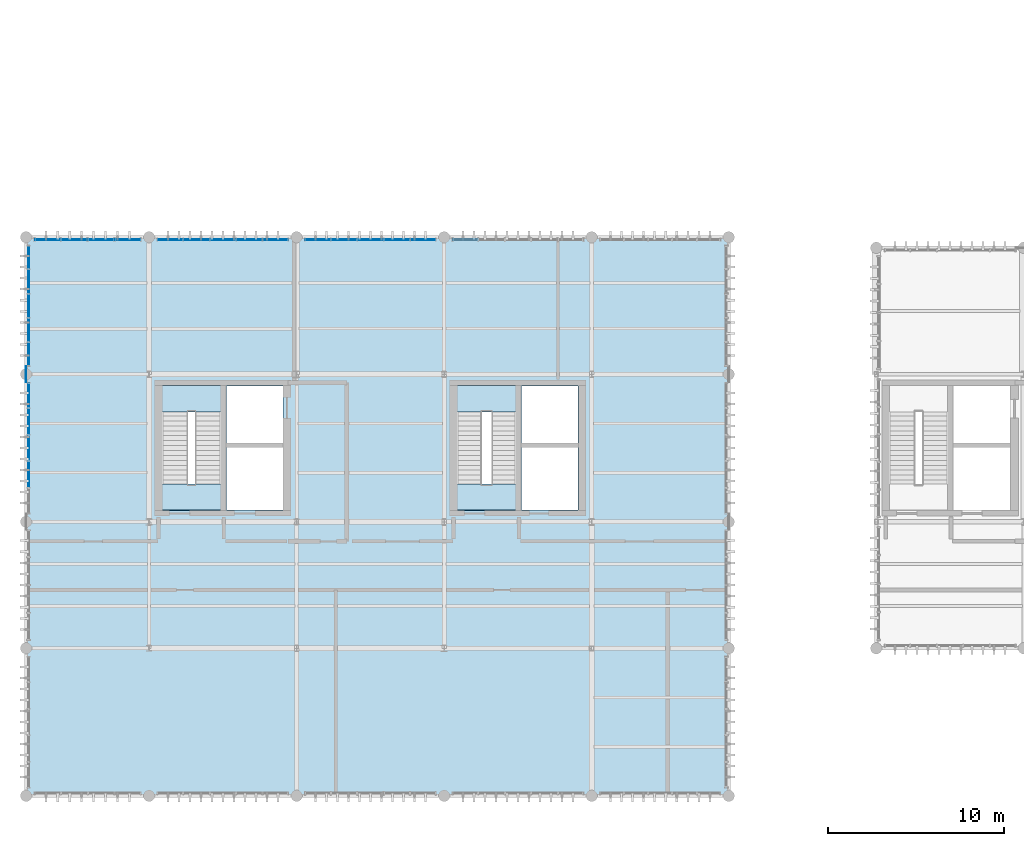
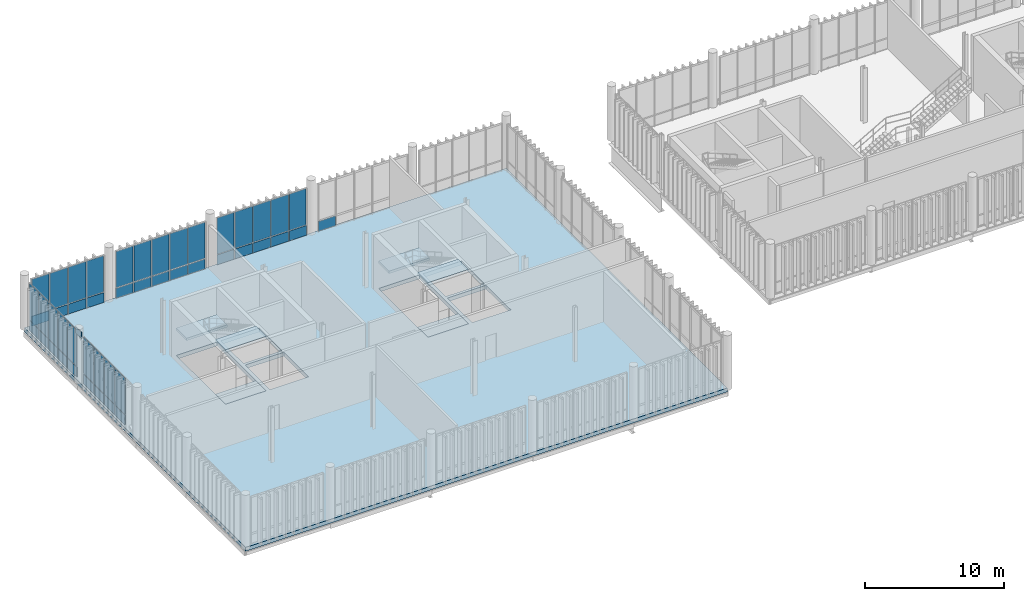
# One storey, part 62 of 86: 48 plates, 7 slabs, 8 elements without a shape of their own.
"""IFC4 building model written with IfcOpenShell, lengths in metres."""

from ifc_helpers import new_model, si_unit, direction, frame, frame_2d, origin_with_axes, origin_2d_with_axis, place, context, subcontext, project, spatial, polyline, rectangle, outline, extrude, material, layer, layer_set, type_object, element, aggregate, save


model = new_model("IFC4")

# Units and contexts
model_context = context("Model", 3, precision=1e-05, world=origin_with_axes(), true_north=direction((0.0, 1.0)))
body_context = subcontext(model_context, "Body", "Model", "MODEL_VIEW")
ifc_project = project(units=[si_unit("LENGTHUNIT", "METRE"), si_unit("AREAUNIT", "SQUARE_METRE"), si_unit("VOLUMEUNIT", "CUBIC_METRE"), si_unit("PLANEANGLEUNIT", "RADIAN"), si_unit("MASSUNIT", "GRAM", prefix="KILO"), si_unit("THERMODYNAMICTEMPERATUREUNIT", "KELVIN")], contexts=[model_context])

# Site, building, storey
site_placement = place(None, origin_with_axes())
site = spatial("IfcSite", under=ifc_project, at=site_placement, CompositionType="ELEMENT")
building_placement = place(site_placement, origin_with_axes())
building = spatial("IfcBuilding", under=site, at=building_placement, Name="Montbau Bow Law Courts", CompositionType="ELEMENT")
storey_placement = place(building_placement, frame((0.0, 0.0, 29.7), z_axis=(0.0, 0.0, 1.0), x_axis=(1.0, 0.0, 0.0)))
storey = spatial("IfcBuildingStorey", under=building, at=storey_placement, Name="L06", CompositionType="ELEMENT", Elevation=29.7)

# Curtain wall, plates
ifc_material_1 = material(Name="Thermally Broken Extruded Aluminium AA 6063-T6", Category="aluminium")
curtain_wall_type = type_object("IfcCurtainWallType", Name="CW-TRC-02", PredefinedType="NOTDEFINED", material=ifc_material_1)
curtain_wall_1_placement = place(None, frame((7.24, 62.26, 29.7), z_axis=(0.0, 0.0, 1.0), x_axis=(1.0, 0.0, 0.0)))
curtain_wall_1 = element("IfcCurtainWall", 1, at=curtain_wall_1_placement, inside=storey, type_object=curtain_wall_type, Name="CW-L06-099:cw_0099", PredefinedType="NOTDEFINED")
ifc_material_2 = material(Name="Triple-Glazed Low-E Argon Insulating Glass Unit", Category="glass")
ifc_layer_1 = layer(ifc_material_2, 0.044, Name="Curtain Panel", Category="glass")
ifc_layer_set_1 = layer_set([ifc_layer_1], Name="Triple-Glazed Low-E Argon Insulating Glass Unit")
plate_type_1 = type_object("IfcPlateType", Name="PL-CWP-01", PredefinedType="CURTAIN_PANEL", material=ifc_layer_set_1)
plate_1_placement = place(None, frame((7.316, 62.26, 30.679), z_axis=(0.0, -1.0, 0.0), x_axis=(1.0, 0.0, 0.0)))
plate_1 = element("IfcPlate", 2, at=plate_1_placement, type_object=plate_type_1, Name="CW-L06-099-P01-2:cw_0099_P01_2", PredefinedType="CURTAIN_PANEL", context=body_context, shape_type="SweptSolid", body=[
    extrude(rectangle(XDim=1.414, YDim=3.183, at=frame_2d((0.707, 1.5915), x_axis=(1.0, 0.0))), frame((0.0, 0.0, -0.022), z_axis=(0.0, 0.0, 1.0), x_axis=(1.0, 0.0, 0.0)), (0.0, 0.0, 1.0), 0.044),
])
plate_2_placement = place(None, frame((8.81, 62.26, 30.679), z_axis=(0.0, -1.0, 0.0), x_axis=(1.0, 0.0, 0.0)))
plate_2 = element("IfcPlate", 3, at=plate_2_placement, type_object=plate_type_1, Name="CW-L06-099-P02-2:cw_0099_P02_2", PredefinedType="CURTAIN_PANEL", context=body_context, shape_type="SweptSolid", body=[
    extrude(rectangle(XDim=1.451, YDim=3.183, at=frame_2d((0.7255, 1.5915), x_axis=(1.0, 0.0))), frame((0.0, 0.0, -0.022), z_axis=(0.0, 0.0, 1.0), x_axis=(1.0, 0.0, 0.0)), (0.0, 0.0, 1.0), 0.044),
])
plate_3_placement = place(None, frame((10.339, 62.26, 30.679), z_axis=(0.0, -1.0, 0.0), x_axis=(1.0, 0.0, 0.0)))
plate_3 = element("IfcPlate", 4, at=plate_3_placement, type_object=plate_type_1, Name="CW-L06-099-P03-2:cw_0099_P03_2", PredefinedType="CURTAIN_PANEL", context=body_context, shape_type="SweptSolid", body=[
    extrude(rectangle(XDim=1.452, YDim=3.183, at=frame_2d((0.726, 1.5915), x_axis=(1.0, 0.0))), frame((0.0, 0.0, -0.022), z_axis=(0.0, 0.0, 1.0), x_axis=(1.0, 0.0, 0.0)), (0.0, 0.0, 1.0), 0.044),
])
plate_4_placement = place(None, frame((11.869, 62.26, 30.679), z_axis=(0.0, -1.0, 0.0), x_axis=(1.0, 0.0, 0.0)))
plate_4 = element("IfcPlate", 5, at=plate_4_placement, type_object=plate_type_1, Name="CW-L06-099-P04-2:cw_0099_P04_2", PredefinedType="CURTAIN_PANEL", context=body_context, shape_type="SweptSolid", body=[
    extrude(rectangle(XDim=1.414, YDim=3.183, at=frame_2d((0.707, 1.5915), x_axis=(1.0, 0.0))), frame((0.0, 0.0, -0.022), z_axis=(0.0, 0.0, 1.0), x_axis=(1.0, 0.0, 0.0)), (0.0, 0.0, 1.0), 0.044),
])

curtain_wall_2_placement = place(None, frame((14.24, 62.26, 29.7), z_axis=(0.0, 0.0, 1.0), x_axis=(1.0, 0.0, 0.0)))
curtain_wall_2 = element("IfcCurtainWall", 6, at=curtain_wall_2_placement, inside=storey, type_object=curtain_wall_type, Name="CW-L06-100:cw_0100", PredefinedType="NOTDEFINED")
plate_5_placement = place(None, frame((14.308, 62.26, 30.682), z_axis=(0.0, -1.0, 0.0), x_axis=(1.0, 0.0, 0.0)))
plate_5 = element("IfcPlate", 7, at=plate_5_placement, type_object=plate_type_1, Name="CW-L06-100-P01-2:cw_0100_P01_2", PredefinedType="CURTAIN_PANEL", context=body_context, shape_type="SweptSolid", body=[
    extrude(rectangle(XDim=1.402, YDim=3.176, at=frame_2d((0.701, 1.588), x_axis=(1.0, 0.0))), frame((0.0, 0.0, -0.022), z_axis=(0.0, 0.0, 1.0), x_axis=(1.0, 0.0, 0.0)), (0.0, 0.0, 1.0), 0.044),
])
plate_6_placement = place(None, frame((15.778, 62.26, 30.682), z_axis=(0.0, -1.0, 0.0), x_axis=(1.0, 0.0, 0.0)))
plate_6 = element("IfcPlate", 8, at=plate_6_placement, type_object=plate_type_1, Name="CW-L06-100-P02-2:cw_0100_P02_2", PredefinedType="CURTAIN_PANEL", context=body_context, shape_type="SweptSolid", body=[
    extrude(rectangle(XDim=1.436, YDim=3.176, at=frame_2d((0.718, 1.588), x_axis=(1.0, 0.0))), frame((0.0, 0.0, -0.022), z_axis=(0.0, 0.0, 1.0), x_axis=(1.0, 0.0, 0.0)), (0.0, 0.0, 1.0), 0.044),
])
plate_7_placement = place(None, frame((17.282, 62.26, 30.682), z_axis=(0.0, -1.0, 0.0), x_axis=(1.0, 0.0, 0.0)))
plate_7 = element("IfcPlate", 9, at=plate_7_placement, type_object=plate_type_1, Name="CW-L06-100-P03-2:cw_0100_P03_2", PredefinedType="CURTAIN_PANEL", context=body_context, shape_type="SweptSolid", body=[
    extrude(rectangle(XDim=1.436, YDim=3.176, at=frame_2d((0.718, 1.588), x_axis=(1.0, 0.0))), frame((0.0, 0.0, -0.022), z_axis=(0.0, 0.0, 1.0), x_axis=(1.0, 0.0, 0.0)), (0.0, 0.0, 1.0), 0.044),
])
plate_8_placement = place(None, frame((18.786, 62.26, 30.682), z_axis=(0.0, -1.0, 0.0), x_axis=(1.0, 0.0, 0.0)))
plate_8 = element("IfcPlate", 10, at=plate_8_placement, type_object=plate_type_1, Name="CW-L06-100-P04-2:cw_0100_P04_2", PredefinedType="CURTAIN_PANEL", context=body_context, shape_type="SweptSolid", body=[
    extrude(rectangle(XDim=1.436, YDim=3.176, at=frame_2d((0.718, 1.588), x_axis=(1.0, 0.0))), frame((0.0, 0.0, -0.022), z_axis=(0.0, 0.0, 1.0), x_axis=(1.0, 0.0, 0.0)), (0.0, 0.0, 1.0), 0.044),
])
plate_9_placement = place(None, frame((20.29, 62.26, 30.682), z_axis=(0.0, -1.0, 0.0), x_axis=(1.0, 0.0, 0.0)))
plate_9 = element("IfcPlate", 11, at=plate_9_placement, type_object=plate_type_1, Name="CW-L06-100-P05-2:cw_0100_P05_2", PredefinedType="CURTAIN_PANEL", context=body_context, shape_type="SweptSolid", body=[
    extrude(rectangle(XDim=1.404, YDim=3.176, at=frame_2d((0.702, 1.588), x_axis=(1.0, 0.0))), frame((0.0, 0.0, -0.022), z_axis=(0.0, 0.0, 1.0), x_axis=(1.0, 0.0, 0.0)), (0.0, 0.0, 1.0), 0.044),
])

curtain_wall_3_placement = place(None, frame((22.64, 62.26, 29.7), z_axis=(0.0, 0.0, 1.0), x_axis=(1.0, 0.0, 0.0)))
curtain_wall_3 = element("IfcCurtainWall", 12, at=curtain_wall_3_placement, inside=storey, type_object=curtain_wall_type, Name="CW-L06-101:cw_0101", PredefinedType="NOTDEFINED")
plate_10_placement = place(None, frame((22.702, 62.26, 30.679), z_axis=(0.0, -1.0, 0.0), x_axis=(1.0, 0.0, 0.0)))
plate_10 = element("IfcPlate", 13, at=plate_10_placement, type_object=plate_type_1, Name="CW-L06-101-P01-2:cw_0101_P01_2", PredefinedType="CURTAIN_PANEL", context=body_context, shape_type="SweptSolid", body=[
    extrude(rectangle(XDim=1.41, YDim=3.183, at=frame_2d((0.705, 1.5915), x_axis=(1.0, 0.0))), frame((0.0, 0.0, -0.022), z_axis=(0.0, 0.0, 1.0), x_axis=(1.0, 0.0, 0.0)), (0.0, 0.0, 1.0), 0.044),
])
plate_11_placement = place(None, frame((24.176, 62.26, 30.679), z_axis=(0.0, -1.0, 0.0), x_axis=(1.0, 0.0, 0.0)))
plate_11 = element("IfcPlate", 14, at=plate_11_placement, type_object=plate_type_1, Name="CW-L06-101-P02-2:cw_0101_P02_2", PredefinedType="CURTAIN_PANEL", context=body_context, shape_type="SweptSolid", body=[
    extrude(rectangle(XDim=1.44, YDim=3.183, at=frame_2d((0.72, 1.5915), x_axis=(1.0, 0.0))), frame((0.0, 0.0, -0.022), z_axis=(0.0, 0.0, 1.0), x_axis=(1.0, 0.0, 0.0)), (0.0, 0.0, 1.0), 0.044),
])
plate_12_placement = place(None, frame((25.68, 62.26, 30.679), z_axis=(0.0, -1.0, 0.0), x_axis=(1.0, 0.0, 0.0)))
plate_12 = element("IfcPlate", 15, at=plate_12_placement, type_object=plate_type_1, Name="CW-L06-101-P03-2:cw_0101_P03_2", PredefinedType="CURTAIN_PANEL", context=body_context, shape_type="SweptSolid", body=[
    extrude(rectangle(XDim=1.44, YDim=3.183, at=frame_2d((0.72, 1.5915), x_axis=(1.0, 0.0))), frame((0.0, 0.0, -0.022), z_axis=(0.0, 0.0, 1.0), x_axis=(1.0, 0.0, 0.0)), (0.0, 0.0, 1.0), 0.044),
])
plate_13_placement = place(None, frame((27.184, 62.26, 30.679), z_axis=(0.0, -1.0, 0.0), x_axis=(1.0, 0.0, 0.0)))
plate_13 = element("IfcPlate", 16, at=plate_13_placement, type_object=plate_type_1, Name="CW-L06-101-P04-2:cw_0101_P04_2", PredefinedType="CURTAIN_PANEL", context=body_context, shape_type="SweptSolid", body=[
    extrude(rectangle(XDim=1.44, YDim=3.183, at=frame_2d((0.72, 1.5915), x_axis=(1.0, 0.0))), frame((0.0, 0.0, -0.022), z_axis=(0.0, 0.0, 1.0), x_axis=(1.0, 0.0, 0.0)), (0.0, 0.0, 1.0), 0.044),
])
plate_14_placement = place(None, frame((28.688, 62.26, 30.679), z_axis=(0.0, -1.0, 0.0), x_axis=(1.0, 0.0, 0.0)))
plate_14 = element("IfcPlate", 17, at=plate_14_placement, type_object=plate_type_1, Name="CW-L06-101-P05-2:cw_0101_P05_2", PredefinedType="CURTAIN_PANEL", context=body_context, shape_type="SweptSolid", body=[
    extrude(rectangle(XDim=1.41, YDim=3.183, at=frame_2d((0.705, 1.5915), x_axis=(1.0, 0.0))), frame((0.0, 0.0, -0.022), z_axis=(0.0, 0.0, 1.0), x_axis=(1.0, 0.0, 0.0)), (0.0, 0.0, 1.0), 0.044),
])

curtain_wall_4_placement = place(None, frame((6.94, 46.64, 29.7), z_axis=(0.0, 0.0, 1.0), x_axis=(1.0, 0.0, 0.0)))
curtain_wall_4 = element("IfcCurtainWall", 18, at=curtain_wall_4_placement, inside=storey, type_object=curtain_wall_type, Name="CW-L06-106:cw_0106", PredefinedType="NOTDEFINED")
plate_15_placement = place(None, frame((6.94, 48.178, 30.682), z_axis=(1.0, 0.0, 0.0), x_axis=(0.0, 1.0, 0.0)))
plate_15 = element("IfcPlate", 19, at=plate_15_placement, type_object=plate_type_1, Name="CW-L06-106-P02-2:cw_0106_P02_2", PredefinedType="CURTAIN_PANEL", context=body_context, shape_type="SweptSolid", body=[
    extrude(rectangle(XDim=1.436, YDim=3.176, at=frame_2d((0.718, 1.588), x_axis=(1.0, 0.0))), frame((0.0, 0.0, -0.022), z_axis=(0.0, 0.0, 1.0), x_axis=(1.0, 0.0, 0.0)), (0.0, 0.0, 1.0), 0.044),
])
plate_16_placement = place(None, frame((6.94, 49.682, 30.682), z_axis=(1.0, 0.0, 0.0), x_axis=(0.0, 1.0, 0.0)))
plate_16 = element("IfcPlate", 20, at=plate_16_placement, type_object=plate_type_1, Name="CW-L06-106-P03-2:cw_0106_P03_2", PredefinedType="CURTAIN_PANEL", context=body_context, shape_type="SweptSolid", body=[
    extrude(rectangle(XDim=1.436, YDim=3.176, at=frame_2d((0.718, 1.588), x_axis=(1.0, 0.0))), frame((0.0, 0.0, -0.022), z_axis=(0.0, 0.0, 1.0), x_axis=(1.0, 0.0, 0.0)), (0.0, 0.0, 1.0), 0.044),
])
plate_17_placement = place(None, frame((6.94, 51.186, 30.682), z_axis=(1.0, 0.0, 0.0), x_axis=(0.0, 1.0, 0.0)))
plate_17 = element("IfcPlate", 21, at=plate_17_placement, type_object=plate_type_1, Name="CW-L06-106-P04-2:cw_0106_P04_2", PredefinedType="CURTAIN_PANEL", context=body_context, shape_type="SweptSolid", body=[
    extrude(rectangle(XDim=1.436, YDim=3.176, at=frame_2d((0.718, 1.588), x_axis=(1.0, 0.0))), frame((0.0, 0.0, -0.022), z_axis=(0.0, 0.0, 1.0), x_axis=(1.0, 0.0, 0.0)), (0.0, 0.0, 1.0), 0.044),
])
plate_18_placement = place(None, frame((6.94, 52.69, 30.682), z_axis=(1.0, 0.0, 0.0), x_axis=(0.0, 1.0, 0.0)))
plate_18 = element("IfcPlate", 22, at=plate_18_placement, type_object=plate_type_1, Name="CW-L06-106-P05-2:cw_0106_P05_2", PredefinedType="CURTAIN_PANEL", context=body_context, shape_type="SweptSolid", body=[
    extrude(rectangle(XDim=1.403, YDim=3.176, at=frame_2d((0.7015, 1.588), x_axis=(1.0, 0.0))), frame((0.0, 0.0, -0.022), z_axis=(0.0, 0.0, 1.0), x_axis=(1.0, 0.0, 0.0)), (0.0, 0.0, 1.0), 0.044),
])

curtain_wall_5_placement = place(None, frame((6.94, 55.04, 29.7), z_axis=(0.0, 0.0, 1.0), x_axis=(1.0, 0.0, 0.0)))
curtain_wall_5 = element("IfcCurtainWall", 23, at=curtain_wall_5_placement, inside=storey, type_object=curtain_wall_type, Name="CW-L06-107:cw_0107", PredefinedType="NOTDEFINED")
plate_19_placement = place(None, frame((6.94, 55.102, 30.679), z_axis=(1.0, 0.0, 0.0), x_axis=(0.0, 1.0, 0.0)))
plate_19 = element("IfcPlate", 24, at=plate_19_placement, type_object=plate_type_1, Name="CW-L06-107-P01-2:cw_0107_P01_2", PredefinedType="CURTAIN_PANEL", context=body_context, shape_type="SweptSolid", body=[
    extrude(rectangle(XDim=1.29, YDim=3.183, at=frame_2d((0.645, 1.5915), x_axis=(1.0, 0.0))), frame((0.0, 0.0, -0.022), z_axis=(0.0, 0.0, 1.0), x_axis=(1.0, 0.0, 0.0)), (0.0, 0.0, 1.0), 0.044),
])
plate_20_placement = place(None, frame((6.94, 56.456, 30.679), z_axis=(1.0, 0.0, 0.0), x_axis=(0.0, 1.0, 0.0)))
plate_20 = element("IfcPlate", 25, at=plate_20_placement, type_object=plate_type_1, Name="CW-L06-107-P02-2:cw_0107_P02_2", PredefinedType="CURTAIN_PANEL", context=body_context, shape_type="SweptSolid", body=[
    extrude(rectangle(XDim=1.32, YDim=3.183, at=frame_2d((0.66, 1.5915), x_axis=(1.0, 0.0))), frame((0.0, 0.0, -0.022), z_axis=(0.0, 0.0, 1.0), x_axis=(1.0, 0.0, 0.0)), (0.0, 0.0, 1.0), 0.044),
])
plate_21_placement = place(None, frame((6.94, 57.84, 30.679), z_axis=(1.0, 0.0, 0.0), x_axis=(0.0, 1.0, 0.0)))
plate_21 = element("IfcPlate", 26, at=plate_21_placement, type_object=plate_type_1, Name="CW-L06-107-P03-2:cw_0107_P03_2", PredefinedType="CURTAIN_PANEL", context=body_context, shape_type="SweptSolid", body=[
    extrude(rectangle(XDim=1.32, YDim=3.183, at=frame_2d((0.66, 1.5915), x_axis=(1.0, 0.0))), frame((0.0, 0.0, -0.022), z_axis=(0.0, 0.0, 1.0), x_axis=(1.0, 0.0, 0.0)), (0.0, 0.0, 1.0), 0.044),
])
plate_22_placement = place(None, frame((6.94, 59.224, 30.679), z_axis=(1.0, 0.0, 0.0), x_axis=(0.0, 1.0, 0.0)))
plate_22 = element("IfcPlate", 27, at=plate_22_placement, type_object=plate_type_1, Name="CW-L06-107-P04-2:cw_0107_P04_2", PredefinedType="CURTAIN_PANEL", context=body_context, shape_type="SweptSolid", body=[
    extrude(rectangle(XDim=1.32, YDim=3.183, at=frame_2d((0.66, 1.5915), x_axis=(1.0, 0.0))), frame((0.0, 0.0, -0.022), z_axis=(0.0, 0.0, 1.0), x_axis=(1.0, 0.0, 0.0)), (0.0, 0.0, 1.0), 0.044),
])
plate_23_placement = place(None, frame((6.94, 60.608, 30.679), z_axis=(1.0, 0.0, 0.0), x_axis=(0.0, 1.0, 0.0)))
plate_23 = element("IfcPlate", 28, at=plate_23_placement, type_object=plate_type_1, Name="CW-L06-107-P05-2:cw_0107_P05_2", PredefinedType="CURTAIN_PANEL", context=body_context, shape_type="SweptSolid", body=[
    extrude(rectangle(XDim=1.29, YDim=3.183, at=frame_2d((0.645, 1.5915), x_axis=(1.0, 0.0))), frame((0.0, 0.0, -0.022), z_axis=(0.0, 0.0, 1.0), x_axis=(1.0, 0.0, 0.0)), (0.0, 0.0, 1.0), 0.044),
])

# Plate
ifc_material_3 = material(Name="Insulated Ceramic-Frit Spandrel Glazing Unit", Category="glass")
ifc_layer_2 = layer(ifc_material_3, 0.056, Name="Curtain Panel", Category="glass")
ifc_layer_set_2 = layer_set([ifc_layer_2], Name="Insulated Ceramic-Frit Spandrel Glazing Unit")
plate_type_2 = type_object("IfcPlateType", Name="PL-CWP-02", PredefinedType="CURTAIN_PANEL", material=ifc_layer_set_2)
plate_24_placement = place(None, frame((7.316, 62.26, 29.756), z_axis=(0.0, -1.0, 0.0), x_axis=(1.0, 0.0, 0.0)))
plate_24 = element("IfcPlate", 29, at=plate_24_placement, type_object=plate_type_2, Name="CW-L06-099-P01-1:cw_0099_P01_1", PredefinedType="CURTAIN_PANEL", context=body_context, shape_type="SweptSolid", body=[
    extrude(rectangle(XDim=1.414, YDim=0.864, at=frame_2d((0.707, 0.432), x_axis=(1.0, 0.0))), frame((0.0, 0.0, -0.028), z_axis=(0.0, 0.0, 1.0), x_axis=(1.0, 0.0, 0.0)), (0.0, 0.0, 1.0), 0.056),
])

plate_25_placement = place(None, frame((8.81, 62.26, 29.756), z_axis=(0.0, -1.0, 0.0), x_axis=(1.0, 0.0, 0.0)))
plate_25 = element("IfcPlate", 30, at=plate_25_placement, type_object=plate_type_2, Name="CW-L06-099-P02-1:cw_0099_P02_1", PredefinedType="CURTAIN_PANEL", context=body_context, shape_type="SweptSolid", body=[
    extrude(rectangle(XDim=1.451, YDim=0.864, at=frame_2d((0.7255, 0.432), x_axis=(1.0, 0.0))), frame((0.0, 0.0, -0.028), z_axis=(0.0, 0.0, 1.0), x_axis=(1.0, 0.0, 0.0)), (0.0, 0.0, 1.0), 0.056),
])

plate_26_placement = place(None, frame((10.339, 62.26, 29.756), z_axis=(0.0, -1.0, 0.0), x_axis=(1.0, 0.0, 0.0)))
plate_26 = element("IfcPlate", 31, at=plate_26_placement, type_object=plate_type_2, Name="CW-L06-099-P03-1:cw_0099_P03_1", PredefinedType="CURTAIN_PANEL", context=body_context, shape_type="SweptSolid", body=[
    extrude(rectangle(XDim=1.452, YDim=0.864, at=frame_2d((0.726, 0.432), x_axis=(1.0, 0.0))), frame((0.0, 0.0, -0.028), z_axis=(0.0, 0.0, 1.0), x_axis=(1.0, 0.0, 0.0)), (0.0, 0.0, 1.0), 0.056),
])

plate_27_placement = place(None, frame((11.869, 62.26, 29.756), z_axis=(0.0, -1.0, 0.0), x_axis=(1.0, 0.0, 0.0)))
plate_27 = element("IfcPlate", 32, at=plate_27_placement, type_object=plate_type_2, Name="CW-L06-099-P04-1:cw_0099_P04_1", PredefinedType="CURTAIN_PANEL", context=body_context, shape_type="SweptSolid", body=[
    extrude(rectangle(XDim=1.414, YDim=0.864, at=frame_2d((0.707, 0.432), x_axis=(1.0, 0.0))), frame((0.0, 0.0, -0.028), z_axis=(0.0, 0.0, 1.0), x_axis=(1.0, 0.0, 0.0)), (0.0, 0.0, 1.0), 0.056),
])

aggregate(curtain_wall_1, [plate_24, plate_1, plate_25, plate_2, plate_26, plate_3, plate_27, plate_4])

plate_28_placement = place(None, frame((14.308, 62.26, 29.762), z_axis=(0.0, -1.0, 0.0), x_axis=(1.0, 0.0, 0.0)))
plate_28 = element("IfcPlate", 33, at=plate_28_placement, type_object=plate_type_2, Name="CW-L06-100-P01-1:cw_0100_P01_1", PredefinedType="CURTAIN_PANEL", context=body_context, shape_type="SweptSolid", body=[
    extrude(rectangle(XDim=1.402, YDim=0.856, at=frame_2d((0.701, 0.428), x_axis=(1.0, 0.0))), frame((0.0, 0.0, -0.028), z_axis=(0.0, 0.0, 1.0), x_axis=(1.0, 0.0, 0.0)), (0.0, 0.0, 1.0), 0.056),
])

plate_29_placement = place(None, frame((15.778, 62.26, 29.762), z_axis=(0.0, -1.0, 0.0), x_axis=(1.0, 0.0, 0.0)))
plate_29 = element("IfcPlate", 34, at=plate_29_placement, type_object=plate_type_2, Name="CW-L06-100-P02-1:cw_0100_P02_1", PredefinedType="CURTAIN_PANEL", context=body_context, shape_type="SweptSolid", body=[
    extrude(rectangle(XDim=1.436, YDim=0.856, at=frame_2d((0.718, 0.428), x_axis=(1.0, 0.0))), frame((0.0, 0.0, -0.028), z_axis=(0.0, 0.0, 1.0), x_axis=(1.0, 0.0, 0.0)), (0.0, 0.0, 1.0), 0.056),
])

plate_30_placement = place(None, frame((17.282, 62.26, 29.762), z_axis=(0.0, -1.0, 0.0), x_axis=(1.0, 0.0, 0.0)))
plate_30 = element("IfcPlate", 35, at=plate_30_placement, type_object=plate_type_2, Name="CW-L06-100-P03-1:cw_0100_P03_1", PredefinedType="CURTAIN_PANEL", context=body_context, shape_type="SweptSolid", body=[
    extrude(rectangle(XDim=1.436, YDim=0.856, at=frame_2d((0.718, 0.428), x_axis=(1.0, 0.0))), frame((0.0, 0.0, -0.028), z_axis=(0.0, 0.0, 1.0), x_axis=(1.0, 0.0, 0.0)), (0.0, 0.0, 1.0), 0.056),
])

plate_31_placement = place(None, frame((18.786, 62.26, 29.762), z_axis=(0.0, -1.0, 0.0), x_axis=(1.0, 0.0, 0.0)))
plate_31 = element("IfcPlate", 36, at=plate_31_placement, type_object=plate_type_2, Name="CW-L06-100-P04-1:cw_0100_P04_1", PredefinedType="CURTAIN_PANEL", context=body_context, shape_type="SweptSolid", body=[
    extrude(rectangle(XDim=1.436, YDim=0.856, at=frame_2d((0.718, 0.428), x_axis=(1.0, 0.0))), frame((0.0, 0.0, -0.028), z_axis=(0.0, 0.0, 1.0), x_axis=(1.0, 0.0, 0.0)), (0.0, 0.0, 1.0), 0.056),
])

plate_32_placement = place(None, frame((20.29, 62.26, 29.762), z_axis=(0.0, -1.0, 0.0), x_axis=(1.0, 0.0, 0.0)))
plate_32 = element("IfcPlate", 37, at=plate_32_placement, type_object=plate_type_2, Name="CW-L06-100-P05-1:cw_0100_P05_1", PredefinedType="CURTAIN_PANEL", context=body_context, shape_type="SweptSolid", body=[
    extrude(rectangle(XDim=1.404, YDim=0.856, at=frame_2d((0.702, 0.428), x_axis=(1.0, 0.0))), frame((0.0, 0.0, -0.028), z_axis=(0.0, 0.0, 1.0), x_axis=(1.0, 0.0, 0.0)), (0.0, 0.0, 1.0), 0.056),
])

aggregate(curtain_wall_2, [plate_28, plate_5, plate_29, plate_6, plate_30, plate_7, plate_31, plate_8, plate_32, plate_9])

plate_33_placement = place(None, frame((22.702, 62.26, 29.756), z_axis=(0.0, -1.0, 0.0), x_axis=(1.0, 0.0, 0.0)))
plate_33 = element("IfcPlate", 38, at=plate_33_placement, type_object=plate_type_2, Name="CW-L06-101-P01-1:cw_0101_P01_1", PredefinedType="CURTAIN_PANEL", context=body_context, shape_type="SweptSolid", body=[
    extrude(rectangle(XDim=1.41, YDim=0.864, at=frame_2d((0.705, 0.432), x_axis=(1.0, 0.0))), frame((0.0, 0.0, -0.028), z_axis=(0.0, 0.0, 1.0), x_axis=(1.0, 0.0, 0.0)), (0.0, 0.0, 1.0), 0.056),
])

plate_34_placement = place(None, frame((24.176, 62.26, 29.756), z_axis=(0.0, -1.0, 0.0), x_axis=(1.0, 0.0, 0.0)))
plate_34 = element("IfcPlate", 39, at=plate_34_placement, type_object=plate_type_2, Name="CW-L06-101-P02-1:cw_0101_P02_1", PredefinedType="CURTAIN_PANEL", context=body_context, shape_type="SweptSolid", body=[
    extrude(rectangle(XDim=1.44, YDim=0.864, at=frame_2d((0.72, 0.432), x_axis=(1.0, 0.0))), frame((0.0, 0.0, -0.028), z_axis=(0.0, 0.0, 1.0), x_axis=(1.0, 0.0, 0.0)), (0.0, 0.0, 1.0), 0.056),
])

plate_35_placement = place(None, frame((25.68, 62.26, 29.756), z_axis=(0.0, -1.0, 0.0), x_axis=(1.0, 0.0, 0.0)))
plate_35 = element("IfcPlate", 40, at=plate_35_placement, type_object=plate_type_2, Name="CW-L06-101-P03-1:cw_0101_P03_1", PredefinedType="CURTAIN_PANEL", context=body_context, shape_type="SweptSolid", body=[
    extrude(rectangle(XDim=1.44, YDim=0.864, at=frame_2d((0.72, 0.432), x_axis=(1.0, 0.0))), frame((0.0, 0.0, -0.028), z_axis=(0.0, 0.0, 1.0), x_axis=(1.0, 0.0, 0.0)), (0.0, 0.0, 1.0), 0.056),
])

plate_36_placement = place(None, frame((27.184, 62.26, 29.756), z_axis=(0.0, -1.0, 0.0), x_axis=(1.0, 0.0, 0.0)))
plate_36 = element("IfcPlate", 41, at=plate_36_placement, type_object=plate_type_2, Name="CW-L06-101-P04-1:cw_0101_P04_1", PredefinedType="CURTAIN_PANEL", context=body_context, shape_type="SweptSolid", body=[
    extrude(rectangle(XDim=1.44, YDim=0.864, at=frame_2d((0.72, 0.432), x_axis=(1.0, 0.0))), frame((0.0, 0.0, -0.028), z_axis=(0.0, 0.0, 1.0), x_axis=(1.0, 0.0, 0.0)), (0.0, 0.0, 1.0), 0.056),
])

plate_37_placement = place(None, frame((28.688, 62.26, 29.756), z_axis=(0.0, -1.0, 0.0), x_axis=(1.0, 0.0, 0.0)))
plate_37 = element("IfcPlate", 42, at=plate_37_placement, type_object=plate_type_2, Name="CW-L06-101-P05-1:cw_0101_P05_1", PredefinedType="CURTAIN_PANEL", context=body_context, shape_type="SweptSolid", body=[
    extrude(rectangle(XDim=1.41, YDim=0.864, at=frame_2d((0.705, 0.432), x_axis=(1.0, 0.0))), frame((0.0, 0.0, -0.028), z_axis=(0.0, 0.0, 1.0), x_axis=(1.0, 0.0, 0.0)), (0.0, 0.0, 1.0), 0.056),
])

aggregate(curtain_wall_3, [plate_33, plate_10, plate_34, plate_11, plate_35, plate_12, plate_36, plate_13, plate_37, plate_14])

# Curtain wall, plate
curtain_wall_6_placement = place(None, frame((31.04, 62.26, 29.7), z_axis=(0.0, 0.0, 1.0), x_axis=(1.0, 0.0, 0.0)))
curtain_wall_6 = element("IfcCurtainWall", 43, at=curtain_wall_6_placement, inside=storey, type_object=curtain_wall_type, Name="CW-L06-102:cw_0102", PredefinedType="NOTDEFINED")
plate_38_placement = place(None, frame((31.116, 62.26, 29.762), z_axis=(0.0, -1.0, 0.0), x_axis=(1.0, 0.0, 0.0)))
plate_38 = element("IfcPlate", 44, at=plate_38_placement, type_object=plate_type_2, Name="CW-L06-102-P01-1:cw_0102_P01_1", PredefinedType="CURTAIN_PANEL", context=body_context, shape_type="SweptSolid", body=[
    extrude(rectangle(XDim=1.388, YDim=0.856, at=frame_2d((0.694, 0.428), x_axis=(1.0, 0.0))), frame((0.0, 0.0, -0.028), z_axis=(0.0, 0.0, 1.0), x_axis=(1.0, 0.0, 0.0)), (0.0, 0.0, 1.0), 0.056),
])
aggregate(curtain_wall_6, [plate_38])

# Plate
plate_39_placement = place(None, frame((6.94, 48.178, 29.762), z_axis=(1.0, 0.0, 0.0), x_axis=(0.0, 1.0, 0.0)))
plate_39 = element("IfcPlate", 45, at=plate_39_placement, type_object=plate_type_2, Name="CW-L06-106-P02-1:cw_0106_P02_1", PredefinedType="CURTAIN_PANEL", context=body_context, shape_type="SweptSolid", body=[
    extrude(rectangle(XDim=1.436, YDim=0.856, at=frame_2d((0.718, 0.428), x_axis=(1.0, 0.0))), frame((0.0, 0.0, -0.028), z_axis=(0.0, 0.0, 1.0), x_axis=(1.0, 0.0, 0.0)), (0.0, 0.0, 1.0), 0.056),
])

plate_40_placement = place(None, frame((6.94, 49.682, 29.762), z_axis=(1.0, 0.0, 0.0), x_axis=(0.0, 1.0, 0.0)))
plate_40 = element("IfcPlate", 46, at=plate_40_placement, type_object=plate_type_2, Name="CW-L06-106-P03-1:cw_0106_P03_1", PredefinedType="CURTAIN_PANEL", context=body_context, shape_type="SweptSolid", body=[
    extrude(rectangle(XDim=1.436, YDim=0.856, at=frame_2d((0.718, 0.428), x_axis=(1.0, 0.0))), frame((0.0, 0.0, -0.028), z_axis=(0.0, 0.0, 1.0), x_axis=(1.0, 0.0, 0.0)), (0.0, 0.0, 1.0), 0.056),
])

plate_41_placement = place(None, frame((6.94, 51.186, 29.762), z_axis=(1.0, 0.0, 0.0), x_axis=(0.0, 1.0, 0.0)))
plate_41 = element("IfcPlate", 47, at=plate_41_placement, type_object=plate_type_2, Name="CW-L06-106-P04-1:cw_0106_P04_1", PredefinedType="CURTAIN_PANEL", context=body_context, shape_type="SweptSolid", body=[
    extrude(rectangle(XDim=1.436, YDim=0.856, at=frame_2d((0.718, 0.428), x_axis=(1.0, 0.0))), frame((0.0, 0.0, -0.028), z_axis=(0.0, 0.0, 1.0), x_axis=(1.0, 0.0, 0.0)), (0.0, 0.0, 1.0), 0.056),
])

plate_42_placement = place(None, frame((6.94, 52.69, 29.762), z_axis=(1.0, 0.0, 0.0), x_axis=(0.0, 1.0, 0.0)))
plate_42 = element("IfcPlate", 48, at=plate_42_placement, type_object=plate_type_2, Name="CW-L06-106-P05-1:cw_0106_P05_1", PredefinedType="CURTAIN_PANEL", context=body_context, shape_type="SweptSolid", body=[
    extrude(rectangle(XDim=1.403, YDim=0.856, at=frame_2d((0.7015, 0.428), x_axis=(1.0, 0.0))), frame((0.0, 0.0, -0.028), z_axis=(0.0, 0.0, 1.0), x_axis=(1.0, 0.0, 0.0)), (0.0, 0.0, 1.0), 0.056),
])

aggregate(curtain_wall_4, [plate_39, plate_15, plate_40, plate_16, plate_41, plate_17, plate_42, plate_18])

plate_43_placement = place(None, frame((6.94, 55.102, 29.756), z_axis=(1.0, 0.0, 0.0), x_axis=(0.0, 1.0, 0.0)))
plate_43 = element("IfcPlate", 49, at=plate_43_placement, type_object=plate_type_2, Name="CW-L06-107-P01-1:cw_0107_P01_1", PredefinedType="CURTAIN_PANEL", context=body_context, shape_type="SweptSolid", body=[
    extrude(rectangle(XDim=1.29, YDim=0.864, at=frame_2d((0.645, 0.432), x_axis=(1.0, 0.0))), frame((0.0, 0.0, -0.028), z_axis=(0.0, 0.0, 1.0), x_axis=(1.0, 0.0, 0.0)), (0.0, 0.0, 1.0), 0.056),
])

plate_44_placement = place(None, frame((6.94, 56.456, 29.756), z_axis=(1.0, 0.0, 0.0), x_axis=(0.0, 1.0, 0.0)))
plate_44 = element("IfcPlate", 50, at=plate_44_placement, type_object=plate_type_2, Name="CW-L06-107-P02-1:cw_0107_P02_1", PredefinedType="CURTAIN_PANEL", context=body_context, shape_type="SweptSolid", body=[
    extrude(rectangle(XDim=1.32, YDim=0.864, at=frame_2d((0.66, 0.432), x_axis=(1.0, 0.0))), frame((0.0, 0.0, -0.028), z_axis=(0.0, 0.0, 1.0), x_axis=(1.0, 0.0, 0.0)), (0.0, 0.0, 1.0), 0.056),
])

plate_45_placement = place(None, frame((6.94, 57.84, 29.756), z_axis=(1.0, 0.0, 0.0), x_axis=(0.0, 1.0, 0.0)))
plate_45 = element("IfcPlate", 51, at=plate_45_placement, type_object=plate_type_2, Name="CW-L06-107-P03-1:cw_0107_P03_1", PredefinedType="CURTAIN_PANEL", context=body_context, shape_type="SweptSolid", body=[
    extrude(rectangle(XDim=1.32, YDim=0.864, at=frame_2d((0.66, 0.432), x_axis=(1.0, 0.0))), frame((0.0, 0.0, -0.028), z_axis=(0.0, 0.0, 1.0), x_axis=(1.0, 0.0, 0.0)), (0.0, 0.0, 1.0), 0.056),
])

plate_46_placement = place(None, frame((6.94, 59.224, 29.756), z_axis=(1.0, 0.0, 0.0), x_axis=(0.0, 1.0, 0.0)))
plate_46 = element("IfcPlate", 52, at=plate_46_placement, type_object=plate_type_2, Name="CW-L06-107-P04-1:cw_0107_P04_1", PredefinedType="CURTAIN_PANEL", context=body_context, shape_type="SweptSolid", body=[
    extrude(rectangle(XDim=1.32, YDim=0.864, at=frame_2d((0.66, 0.432), x_axis=(1.0, 0.0))), frame((0.0, 0.0, -0.028), z_axis=(0.0, 0.0, 1.0), x_axis=(1.0, 0.0, 0.0)), (0.0, 0.0, 1.0), 0.056),
])

plate_47_placement = place(None, frame((6.94, 60.608, 29.756), z_axis=(1.0, 0.0, 0.0), x_axis=(0.0, 1.0, 0.0)))
plate_47 = element("IfcPlate", 53, at=plate_47_placement, type_object=plate_type_2, Name="CW-L06-107-P05-1:cw_0107_P05_1", PredefinedType="CURTAIN_PANEL", context=body_context, shape_type="SweptSolid", body=[
    extrude(rectangle(XDim=1.29, YDim=0.864, at=frame_2d((0.645, 0.432), x_axis=(1.0, 0.0))), frame((0.0, 0.0, -0.028), z_axis=(0.0, 0.0, 1.0), x_axis=(1.0, 0.0, 0.0)), (0.0, 0.0, 1.0), 0.056),
])

aggregate(curtain_wall_5, [plate_43, plate_19, plate_44, plate_20, plate_45, plate_21, plate_46, plate_22, plate_47, plate_23])

ifc_material_4 = material(Name="Steel CSA G40.21 Grade 350WT (350 MPa)", Category="steel")
ifc_layer_3 = layer(ifc_material_4, 0.032, Name="Gusset Plate", Category="steel")
ifc_layer_set_3 = layer_set([ifc_layer_3], Name="Steel CSA G40.21 Grade 350WT (350 MPa)")
plate_type_3 = type_object("IfcPlateType", Name="PL-GUS-01", PredefinedType="USERDEFINED", material=ifc_layer_set_3)
plate_48_placement = place(None, frame((6.8, 54.6, 33.717), z_axis=(0.0, 0.0, 1.0), x_axis=(0.0, 1.0, 0.0)))
element("IfcPlate", 54, at=plate_48_placement, inside=storey, type_object=plate_type_3, Name="BGP-L06-105:plt_0136", ObjectType="GUSSET_PLATE", PredefinedType="USERDEFINED", context=body_context, shape_type="SweptSolid", body=[
    extrude(rectangle(XDim=0.9, YDim=0.032, at=origin_2d_with_axis()), origin_with_axes(), (0.0, 0.0, 1.0), 0.56),
])

# Slab
ifc_material_5 = material(Name="Concrete CSA A23.1 f'c 40 MPa", Category="concrete")
ifc_layer_4 = layer(ifc_material_5, 0.34, Name="Floor Slab", Category="concrete")
ifc_layer_set_4 = layer_set([ifc_layer_4], Name="Concrete CSA A23.1 f'c 40 MPa")
slab_type_1 = type_object("IfcSlabType", Name="SL-FLR-07", PredefinedType="FLOOR", material=ifc_layer_set_4)
slab_1_placement = place(None, frame((0.0, 0.0, 29.36), z_axis=(0.0, 0.0, 1.0), x_axis=(1.0, 0.0, 0.0)))
element("IfcSlab", 55, at=slab_1_placement, inside=storey, type_object=slab_type_1, Name="SL-V2-L06:slb_0013", PredefinedType="FLOOR", context=body_context, shape_type="SweptSolid", body=[
    extrude(outline(polyline([(6.8, 30.6), (46.8, 30.6), (46.8, 62.4), (6.8, 62.4), (6.8, 30.6)]), holes=[polyline([(14.52, 46.888), (17.9, 46.888), (17.9, 53.93), (14.52, 53.93), (14.52, 46.888)]), polyline([(18.2, 46.87), (21.41, 46.87), (21.41, 50.421), (18.2, 50.421), (18.2, 46.87)]), polyline([(18.2, 50.661), (21.41, 50.661), (21.41, 53.93), (18.2, 53.93), (18.2, 50.661)]), polyline([(31.32, 46.888), (34.7, 46.888), (34.7, 53.93), (31.32, 53.93), (31.32, 46.888)]), polyline([(35.0, 46.87), (38.21, 46.87), (38.21, 50.421), (35.0, 50.421), (35.0, 46.87)]), polyline([(35.0, 50.661), (38.21, 50.661), (38.21, 53.93), (35.0, 53.93), (35.0, 50.661)])]), origin_with_axes(), (0.0, 0.0, 1.0), 0.34),
])

# Stair, slabs
stair_type_1 = type_object("IfcStairType", Name="ST-PUB-1800", PredefinedType="HALF_TURN_STAIR", material=ifc_material_5)
stair_1_placement = place(None, frame((15.305, 48.3, 29.7), z_axis=(0.0, 0.0, 1.0), x_axis=(1.0, 0.0, 0.0)))
stair_1 = element("IfcStair", 56, at=stair_1_placement, inside=storey, type_object=stair_type_1, Name="ST-P1-L06:str_0008", PredefinedType="HALF_TURN_STAIR")
ifc_layer_5 = layer(ifc_material_5, 0.21, Name="Landing", Category="concrete")
ifc_layer_set_5 = layer_set([ifc_layer_5], Name="Concrete CSA A23.1 f'c 40 MPa")
slab_type_2 = type_object("IfcSlabType", Name="SL-LND-02", PredefinedType="LANDING", material=ifc_layer_set_5)
slab_2_placement = place(None, frame((0.0, 0.0, 29.49), z_axis=(0.0, 0.0, 1.0), x_axis=(1.0, 0.0, 0.0)))
slab_2 = element("IfcSlab", 57, at=slab_2_placement, type_object=slab_type_2, Name="ST-P1-L06-LB:str_0008_LB", PredefinedType="LANDING", context=body_context, shape_type="SweptSolid", body=[
    extrude(outline(polyline([(14.52, 46.87), (17.9, 46.87), (17.9, 48.34), (14.52, 48.34), (14.52, 46.87)])), origin_with_axes(), (0.0, 0.0, 1.0), 0.21),
])
slab_3_placement = place(None, frame((0.0, 0.0, 31.89), z_axis=(0.0, 0.0, 1.0), x_axis=(1.0, 0.0, 0.0)))
slab_3 = element("IfcSlab", 58, at=slab_3_placement, type_object=slab_type_2, Name="ST-P1-L06-LM:str_0008_LM", PredefinedType="LANDING", context=body_context, shape_type="SweptSolid", body=[
    extrude(outline(polyline([(14.52, 52.46), (17.9, 52.46), (17.9, 53.96), (14.52, 53.96), (14.52, 52.46)])), origin_with_axes(), (0.0, 0.0, 1.0), 0.21),
])
slab_4_placement = place(None, frame((0.0, 0.0, 34.29), z_axis=(0.0, 0.0, 1.0), x_axis=(1.0, 0.0, 0.0)))
slab_4 = element("IfcSlab", 59, at=slab_4_placement, type_object=slab_type_2, Name="ST-P1-L06-LT:str_0008_LT", PredefinedType="LANDING", context=body_context, shape_type="SweptSolid", body=[
    extrude(outline(polyline([(14.52, 46.84), (17.9, 46.84), (17.9, 48.34), (14.52, 48.34), (14.52, 46.84)])), origin_with_axes(), (0.0, 0.0, 1.0), 0.21),
])
aggregate(stair_1, [slab_2, slab_3, slab_4])

stair_type_2 = type_object("IfcStairType", Name="ST-JUD-1500", PredefinedType="HALF_TURN_STAIR", material=ifc_material_5)
stair_2_placement = place(None, frame((32.065, 48.3, 29.7), z_axis=(0.0, 0.0, 1.0), x_axis=(1.0, 0.0, 0.0)))
stair_2 = element("IfcStair", 60, at=stair_2_placement, inside=storey, type_object=stair_type_2, Name="ST-J1-L06:str_0016", PredefinedType="HALF_TURN_STAIR")
slab_5_placement = place(None, frame((0.0, 0.0, 29.49), z_axis=(0.0, 0.0, 1.0), x_axis=(1.0, 0.0, 0.0)))
slab_5 = element("IfcSlab", 61, at=slab_5_placement, type_object=slab_type_2, Name="ST-J1-L06-LB:str_0016_LB", PredefinedType="LANDING", context=body_context, shape_type="SweptSolid", body=[
    extrude(outline(polyline([(31.32, 46.87), (34.7, 46.87), (34.7, 48.34), (31.32, 48.34), (31.32, 46.87)])), origin_with_axes(), (0.0, 0.0, 1.0), 0.21),
])
slab_6_placement = place(None, frame((0.0, 0.0, 31.89), z_axis=(0.0, 0.0, 1.0), x_axis=(1.0, 0.0, 0.0)))
slab_6 = element("IfcSlab", 62, at=slab_6_placement, type_object=slab_type_2, Name="ST-J1-L06-LM:str_0016_LM", PredefinedType="LANDING", context=body_context, shape_type="SweptSolid", body=[
    extrude(outline(polyline([(31.32, 52.46), (34.7, 52.46), (34.7, 53.96), (31.32, 53.96), (31.32, 52.46)])), origin_with_axes(), (0.0, 0.0, 1.0), 0.21),
])
slab_7_placement = place(None, frame((0.0, 0.0, 34.29), z_axis=(0.0, 0.0, 1.0), x_axis=(1.0, 0.0, 0.0)))
slab_7 = element("IfcSlab", 63, at=slab_7_placement, type_object=slab_type_2, Name="ST-J1-L06-LT:str_0016_LT", PredefinedType="LANDING", context=body_context, shape_type="SweptSolid", body=[
    extrude(outline(polyline([(31.32, 46.84), (34.7, 46.84), (34.7, 48.34), (31.32, 48.34), (31.32, 46.84)])), origin_with_axes(), (0.0, 0.0, 1.0), 0.21),
])
aggregate(stair_2, [slab_5, slab_6, slab_7])

save(model, "model.ifc")
